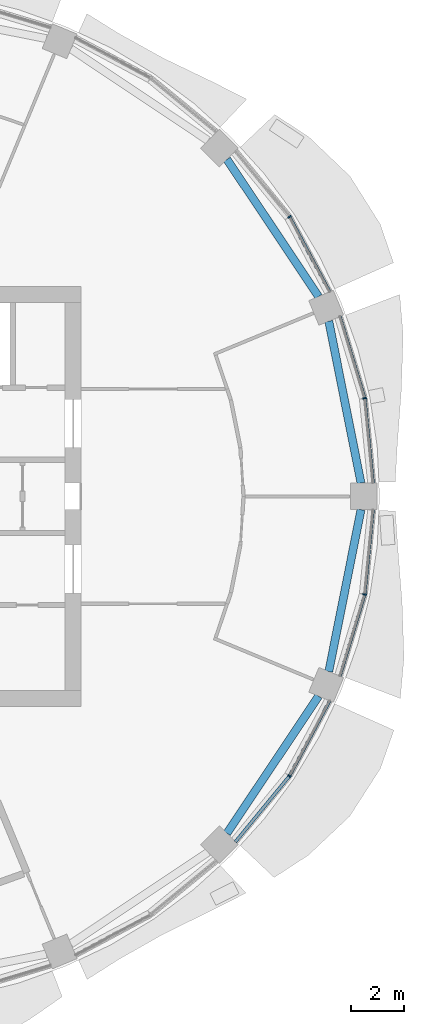
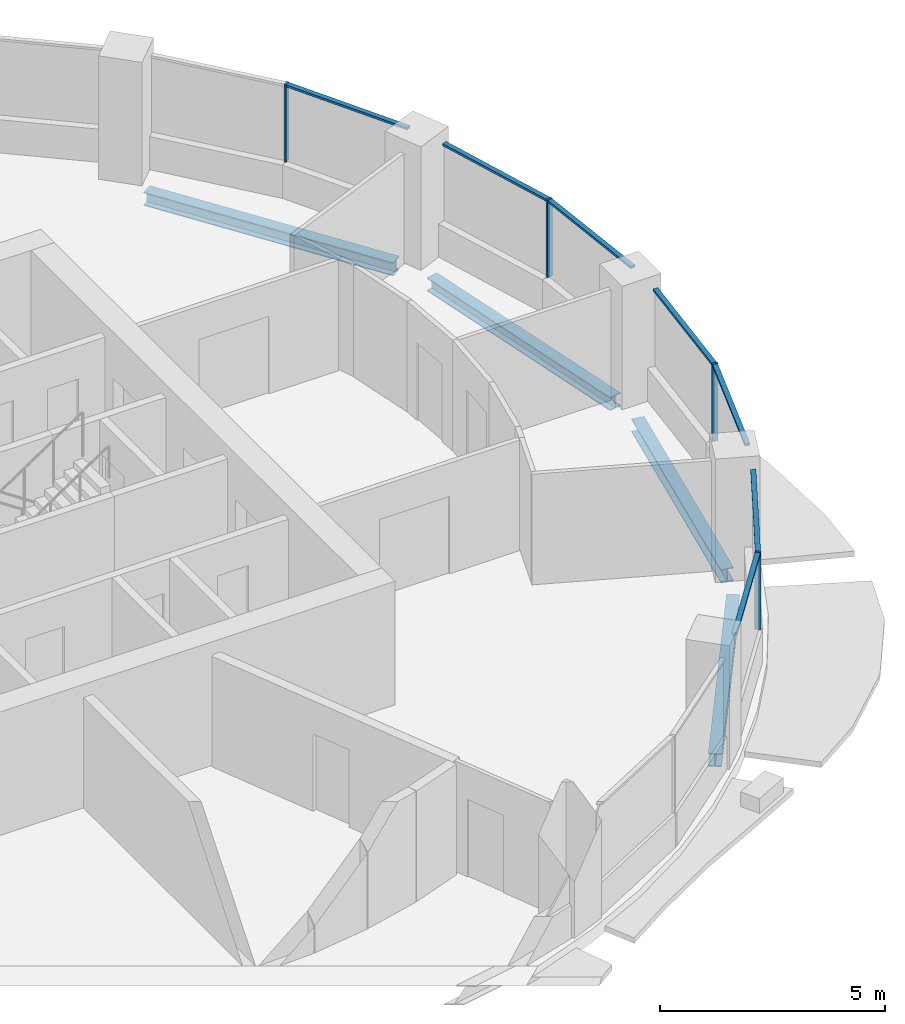
# One storey, part 5 of 15: 11 members, 4 beams, 4 elements without a shape of their own.
"""IFC4 building model written with IfcOpenShell, lengths in metres."""

from ifc_helpers import new_model, si_unit, direction, frame, origin, origin_2d, place, context, subcontext, project, spatial, rectangle, i_section, extrude, material, material_profile, profile_set, type_object, element, aggregate, save


model = new_model("IFC4")

# Units and contexts
model_context = context("Model", 3, precision=1e-05, world=origin(), true_north=direction((0.0, 1.0)))
body_context = subcontext(model_context, "Body", "Model", "MODEL_VIEW")
ifc_project = project(units=[si_unit("LENGTHUNIT", "METRE"), si_unit("AREAUNIT", "SQUARE_METRE"), si_unit("VOLUMEUNIT", "CUBIC_METRE"), si_unit("PLANEANGLEUNIT", "RADIAN"), si_unit("MASSUNIT", "GRAM", prefix="KILO")], contexts=[model_context])

# Site, building, storey
site_placement = place(None, origin())
site = spatial("IfcSite", under=ifc_project, at=site_placement, CompositionType="ELEMENT")
building_placement = place(site_placement, origin())
building = spatial("IfcBuilding", under=site, at=building_placement, Name="Polderwave Tower", CompositionType="ELEMENT")
storey_placement = place(building_placement, frame((0.0, 0.0, 124.300048828125)))
storey = spatial("IfcBuildingStorey", under=building, at=storey_placement, Name="L32", CompositionType="ELEMENT", Elevation=124.300048828125)

# Curtain wall, member
ifc_material_1 = material(Name="Aluminium 6063-T6 and glass", Category="aluminium")
curtain_wall_type = type_object("IfcCurtainWallType", Name="Office ribbon glazing wall", PredefinedType="NOTDEFINED", material=ifc_material_1)
curtain_wall_1_placement = place(storey_placement, origin())
curtain_wall_1 = element("IfcCurtainWall", 1, at=curtain_wall_1_placement, inside=storey, type_object=curtain_wall_type, Name="CW3 L32 00", PredefinedType="NOTDEFINED")
ifc_material_2 = material(Name="Aluminium 6063-T6", Category="aluminium")
ifc_material_profile_1 = material_profile(ifc_material_2, rectangle(XDim=0.139892578125, YDim=0.054931640625, at=origin_2d()), Name="AL 55x140")
ifc_profile_set_1 = profile_set([ifc_material_profile_1], Name="Aluminium 6063-T6")
member_type_1 = type_object("IfcMemberType", Name="Office ribbon glazing mullion 55x140", PredefinedType="MULLION", material=ifc_profile_set_1)
member_1_placement = place(storey_placement, frame((18.498046875, 3.678955078125, 0.89990234375), z_axis=(0.0, 0.0, 1.0), x_axis=(-0.98077778875, -0.195127981324, 0.0)))
member_1 = element("IfcMember", 2, at=member_1_placement, type_object=member_type_1, Name="CW3 mullion 1", PredefinedType="MULLION", context=body_context, shape_type="SweptSolid", body=[
    extrude(rectangle(XDim=0.139892578125, YDim=0.054931640625, at=origin_2d()), origin(), (0.0, 0.0, 1.0), 2.10009765625),
])

curtain_wall_2_placement = place(storey_placement, origin())
curtain_wall_2 = element("IfcCurtainWall", 3, at=curtain_wall_2_placement, inside=storey, type_object=curtain_wall_type, Name="CW3 L32 01", PredefinedType="NOTDEFINED")
member_2_placement = place(storey_placement, frame((15.681884765625, 10.47802734375, 0.89990234375), z_axis=(0.0, 0.0, 1.0), x_axis=(-0.831453127836, -0.555594902975, 0.0)))
member_2 = element("IfcMember", 4, at=member_2_placement, type_object=member_type_1, Name="CW3 mullion 1", PredefinedType="MULLION", context=body_context, shape_type="SweptSolid", body=[
    extrude(rectangle(XDim=0.139892578125, YDim=0.054931640625, at=origin_2d()), origin(), (0.0, 0.0, 1.0), 2.10009765625),
])

curtain_wall_3_placement = place(storey_placement, origin())
curtain_wall_3 = element("IfcCurtainWall", 5, at=curtain_wall_3_placement, inside=storey, type_object=curtain_wall_type, Name="CW3 L32 14", PredefinedType="NOTDEFINED")
member_3_placement = place(storey_placement, frame((15.681884765625, -10.47802734375, 0.89990234375), z_axis=(0.0, 0.0, 1.0), x_axis=(-0.831453127836, 0.555594902975, 0.0)))
member_3 = element("IfcMember", 6, at=member_3_placement, type_object=member_type_1, Name="CW3 mullion 1", PredefinedType="MULLION", context=body_context, shape_type="SweptSolid", body=[
    extrude(rectangle(XDim=0.139892578125, YDim=0.054931640625, at=origin_2d()), origin(), (0.0, 0.0, 1.0), 2.10009765625),
])

curtain_wall_4_placement = place(storey_placement, origin())
curtain_wall_4 = element("IfcCurtainWall", 7, at=curtain_wall_4_placement, inside=storey, type_object=curtain_wall_type, Name="CW3 L32 15", PredefinedType="NOTDEFINED")
member_4_placement = place(storey_placement, frame((18.498046875, -3.678955078125, 0.89990234375), z_axis=(0.0, 0.0, 1.0), x_axis=(-0.98077778875, 0.195127981324, 0.0)))
member_4 = element("IfcMember", 8, at=member_4_placement, type_object=member_type_1, Name="CW3 mullion 1", PredefinedType="MULLION", context=body_context, shape_type="SweptSolid", body=[
    extrude(rectangle(XDim=0.139892578125, YDim=0.054931640625, at=origin_2d()), origin(), (0.0, 0.0, 1.0), 2.10009765625),
])

# Member
ifc_material_profile_2 = material_profile(ifc_material_2, rectangle(XDim=0.1201171875, YDim=0.06005859375, at=origin_2d()), Name="AL 60x120")
ifc_profile_set_2 = profile_set([ifc_material_profile_2], Name="Aluminium 6063-T6")
member_type_2 = type_object("IfcMemberType", Name="Office ribbon glazing transom 60x120", PredefinedType="USERDEFINED", material=ifc_profile_set_2)
member_5_placement = place(storey_placement, frame((18.81103515625, 0.5, 2.969970703125), z_axis=(-0.09798465056, 0.9951879261, 0.0), x_axis=(-0.9951879261, -0.09798465056, 0.0)))
member_5 = element("IfcMember", 9, at=member_5_placement, type_object=member_type_2, Name="CW3 transom 1", ObjectType="TRANSOM", PredefinedType="USERDEFINED", context=body_context, shape_type="SweptSolid", body=[
    extrude(rectangle(XDim=0.1201171875, YDim=0.06005859375, at=origin_2d()), origin(), (0.0, 0.0, 1.0), 3.166748046875),
])

member_6_placement = place(storey_placement, frame((18.489990234375, 3.705322265625, 2.969970703125), z_axis=(-0.290358126892, 0.95691805195, 0.0), x_axis=(-0.95691805195, -0.290358126892, 0.0)))
member_6 = element("IfcMember", 10, at=member_6_placement, type_object=member_type_2, Name="CW3 transom 2", ObjectType="TRANSOM", PredefinedType="USERDEFINED", context=body_context, shape_type="SweptSolid", body=[
    extrude(rectangle(XDim=0.1201171875, YDim=0.06005859375, at=origin_2d()), origin(), (0.0, 0.0, 1.0), 3.168212890625),
])

aggregate(curtain_wall_1, [member_1, member_5, member_6])

member_7_placement = place(storey_placement, frame((17.18798828125, 7.660888671875, 2.969970703125), z_axis=(-0.471440336956, 0.881897958208, 0.0), x_axis=(-0.881897958208, -0.471440336956, 0.0)))
member_7 = element("IfcMember", 11, at=member_7_placement, type_object=member_type_2, Name="CW3 transom 1", ObjectType="TRANSOM", PredefinedType="USERDEFINED", context=body_context, shape_type="SweptSolid", body=[
    extrude(rectangle(XDim=0.1201171875, YDim=0.06005859375, at=origin_2d()), origin(), (0.0, 0.0, 1.0), 3.166748046875),
])

aggregate(curtain_wall_2, [member_2, member_7])

member_8_placement = place(storey_placement, frame((13.655029296875, -12.947998046875, 2.969970703125), z_axis=(0.634374481569, 0.773025883871, 0.0), x_axis=(-0.773025883871, 0.634374481569, 0.0)))
member_8 = element("IfcMember", 12, at=member_8_placement, type_object=member_type_2, Name="CW3 transom 1", ObjectType="TRANSOM", PredefinedType="USERDEFINED", context=body_context, shape_type="SweptSolid", body=[
    extrude(rectangle(XDim=0.1201171875, YDim=0.06005859375, at=origin_2d()), origin(), (0.0, 0.0, 1.0), 3.167724609375),
])

member_9_placement = place(storey_placement, frame((15.695068359375, -10.45361328125, 2.969970703125), z_axis=(0.471440336956, 0.881897958208, 0.0), x_axis=(-0.881897958208, 0.471440336956, 0.0)))
member_9 = element("IfcMember", 13, at=member_9_placement, type_object=member_type_2, Name="CW3 transom 2", ObjectType="TRANSOM", PredefinedType="USERDEFINED", context=body_context, shape_type="SweptSolid", body=[
    extrude(rectangle(XDim=0.1201171875, YDim=0.06005859375, at=origin_2d()), origin(), (0.0, 0.0, 1.0), 3.166748046875),
])

aggregate(curtain_wall_3, [member_3, member_8, member_9])

member_10_placement = place(storey_placement, frame((17.570068359375, -6.737060546875, 2.969970703125), z_axis=(0.290358126892, 0.95691805195, 0.0), x_axis=(-0.95691805195, 0.290358126892, 0.0)))
member_10 = element("IfcMember", 14, at=member_10_placement, type_object=member_type_2, Name="CW3 transom 1", ObjectType="TRANSOM", PredefinedType="USERDEFINED", context=body_context, shape_type="SweptSolid", body=[
    extrude(rectangle(XDim=0.1201171875, YDim=0.06005859375, at=origin_2d()), origin(), (0.0, 0.0, 1.0), 3.168212890625),
])

member_11_placement = place(storey_placement, frame((18.500732421875, -3.651611328125, 2.969970703125), z_axis=(0.09798465056, 0.9951879261, 0.0), x_axis=(-0.9951879261, 0.09798465056, 0.0)))
member_11 = element("IfcMember", 15, at=member_11_placement, type_object=member_type_2, Name="CW3 transom 2", ObjectType="TRANSOM", PredefinedType="USERDEFINED", context=body_context, shape_type="SweptSolid", body=[
    extrude(rectangle(XDim=0.1201171875, YDim=0.06005859375, at=origin_2d()), origin(), (0.0, 0.0, 1.0), 3.166748046875),
])

aggregate(curtain_wall_4, [member_4, member_10, member_11])

# Beams
ifc_material_3 = material(Name="Steel S355", Category="steel")
ifc_material_profile_3 = material_profile(ifc_material_3, i_section(OverallWidth=0.300048828125, OverallDepth=0.360107421875, WebThickness=0.012451171875, FlangeThickness=0.0224609375, at=origin_2d()), Name="HE 360 B")
ifc_profile_set_3 = profile_set([ifc_material_profile_3], Name="Steel S355")
beam_type = type_object("IfcBeamType", Name="RING BEAM HE 360 B", PredefinedType="BEAM", material=ifc_profile_set_3)
beam_1_placement = place(storey_placement, frame((18.360595703125, 0.5, -0.530029296875), z_axis=(-0.195090959886, 0.980785153523, 0.0), x_axis=(-0.980785153523, -0.195090959886, 0.0)))
element("IfcBeam", 16, at=beam_1_placement, inside=storey, type_object=beam_type, Name="ST-RB-L32-00", PredefinedType="BEAM", context=body_context, shape_type="SweptSolid", body=[
    extrude(i_section(OverallWidth=0.300048828125, OverallDepth=0.360107421875, WebThickness=0.012451171875, FlangeThickness=0.0224609375, at=origin_2d()), origin(), (0.0, 0.0, 1.0), 6.183349609375),
])
for number, where, z_axis, x_axis, name in (
    (17, (16.771484375, 7.48828125, -0.530029296875), (-0.555556426907, 0.831478837086, 0.0), (-0.831478837086, -0.555556426907, 0.0), "ST-RB-L32-01"),
    (18, (13.33642578125, -12.62939453125, -0.530029296875), (0.555556426907, 0.831478837086, 0.0), (-0.831478837086, 0.555556426907, 0.0), "ST-RB-L32-14"),
):
    element("IfcBeam", number, at=place(storey_placement, frame(where, z_axis=z_axis, x_axis=x_axis)), inside=storey, type_object=beam_type, Name=name, PredefinedType="BEAM", context=body_context, shape_type="SweptSolid", body=[
        extrude(i_section(OverallWidth=0.300048828125, OverallDepth=0.360107421875, WebThickness=0.012451171875, FlangeThickness=0.0224609375, at=origin_2d()), origin(), (0.0, 0.0, 1.0), 6.18310546875),
    ])
beam_2_placement = place(storey_placement, frame((17.154296875, -6.564453125, -0.530029296875), z_axis=(0.195090959886, 0.980785153523, 0.0), x_axis=(-0.980785153523, 0.195090959886, 0.0)))
element("IfcBeam", 19, at=beam_2_placement, inside=storey, type_object=beam_type, Name="ST-RB-L32-15", PredefinedType="BEAM", context=body_context, shape_type="SweptSolid", body=[
    extrude(i_section(OverallWidth=0.300048828125, OverallDepth=0.360107421875, WebThickness=0.012451171875, FlangeThickness=0.0224609375, at=origin_2d()), origin(), (0.0, 0.0, 1.0), 6.183349609375),
])

save(model, "model.ifc")
